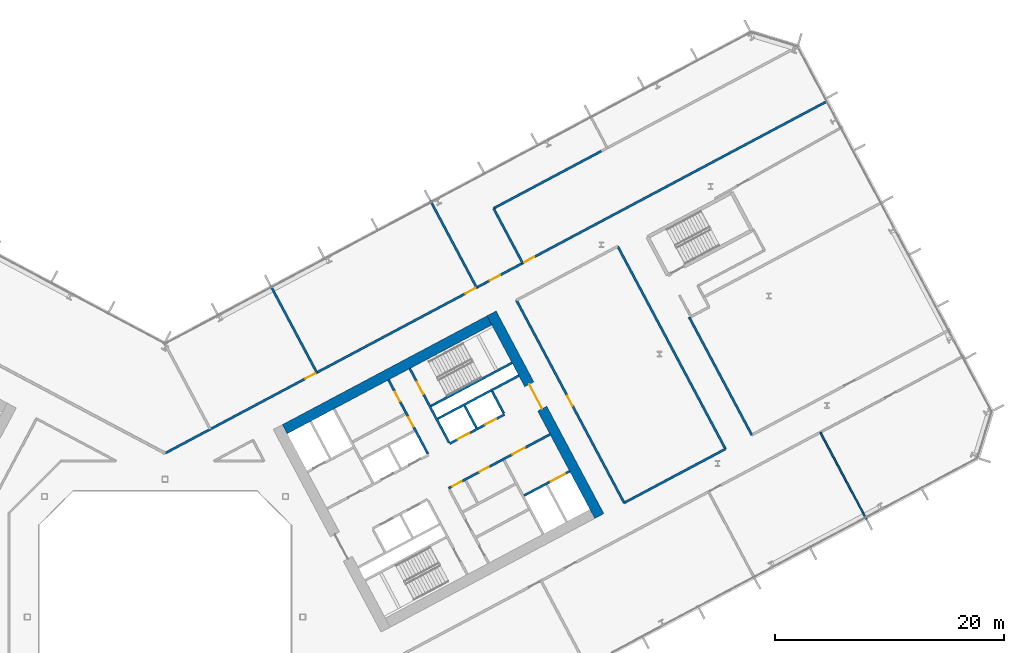
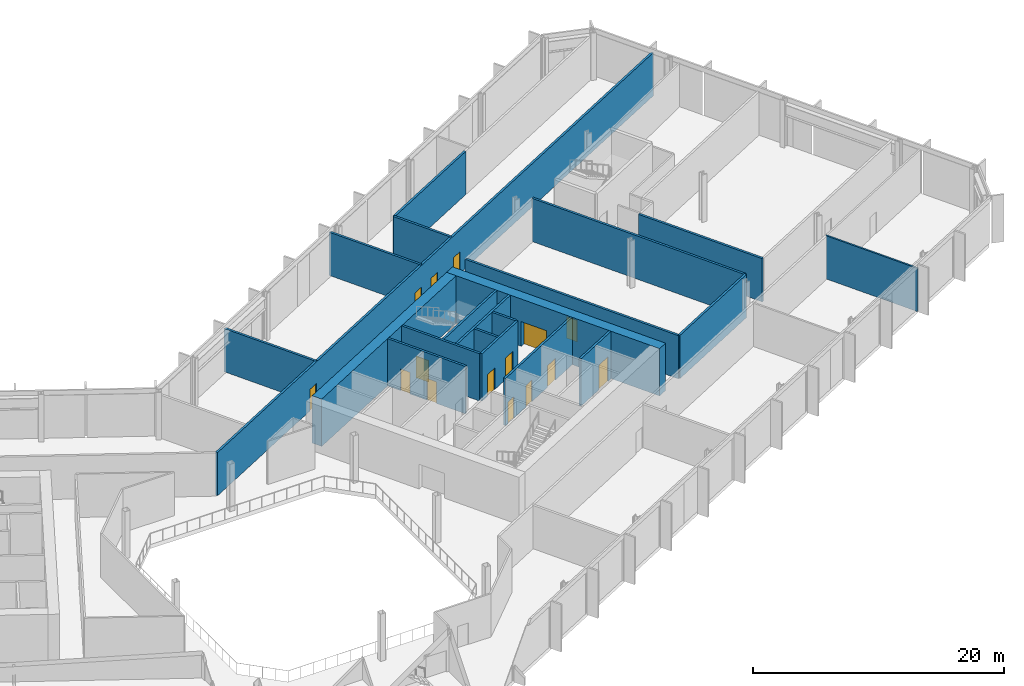
# One storey, part 18 of 31: 21 walls, 15 doors, 15 openings.
"""IFC4 building model written with IfcOpenShell, lengths in metres."""

from ifc_helpers import new_model, si_unit, direction, frame, frame_2d, origin, place, context, subcontext, project, spatial, rectangle, extrude, material, layer, layer_set, type_object, element, fill, save


model = new_model("IFC4")

# Units and contexts
model_context = context("Model", 3, precision=1e-05, world=origin(), true_north=direction((0.0, 1.0)))
body_context = subcontext(model_context, "Body", "Model", "MODEL_VIEW")
ifc_project = project(units=[si_unit("LENGTHUNIT", "METRE"), si_unit("AREAUNIT", "SQUARE_METRE"), si_unit("VOLUMEUNIT", "CUBIC_METRE"), si_unit("PLANEANGLEUNIT", "RADIAN"), si_unit("MASSUNIT", "GRAM", prefix="KILO")], contexts=[model_context])

# Site, building, storey
site_placement = place(None, origin())
site = spatial("IfcSite", under=ifc_project, at=site_placement, CompositionType="ELEMENT")
building_placement = place(site_placement, origin())
building = spatial("IfcBuilding", under=site, at=building_placement, Name="Cormorant Relay Tower", CompositionType="ELEMENT")
storey_placement = place(building_placement, frame((0.0, 0.0, 93.800048828125)))
storey = spatial("IfcBuildingStorey", under=building, at=storey_placement, Name="L18", CompositionType="ELEMENT", Elevation=93.800048828125)

# Wall
ifc_material_1 = material(Name="Concrete 40 MPa", Category="concrete")
ifc_layer_1 = layer(ifc_material_1, 0.199951171875)
ifc_layer_set_1 = layer_set([ifc_layer_1], Name="Core internal wall 200")
wall_type_1 = type_object("IfcWallType", Name="Core internal wall 200", PredefinedType="SOLIDWALL", material=ifc_layer_set_1)
wall_1_placement = place(storey_placement, frame((27.144287109375, 16.471435546875, 0.0), z_axis=(0.0, 0.0, 1.0), x_axis=(-0.469401318492, 0.882984938828, 0.0)))
element("IfcWall", 1, at=wall_1_placement, inside=storey, type_object=wall_type_1, Name="L18 core B shaft and room wall", PredefinedType="SOLIDWALL", context=body_context, shape_type="SweptSolid", body=[
    extrude(rectangle(XDim=2.199951171875, YDim=0.199951171875, at=frame_2d((1.10009765625, 0.0))), origin(), (0.0, 0.0, 1.0), 4.599853515625),
])

# Wall, openings, doors
ifc_material_2 = material(Name="Concrete 50 MPa", Category="concrete")
ifc_layer_2 = layer(ifc_material_2, 0.199951171875)
ifc_layer_set_2 = layer_set([ifc_layer_2], Name="Core shaft wall 200")
wall_type_2 = type_object("IfcWallType", Name="Core shaft wall 200", PredefinedType="SHEAR", material=ifc_layer_set_2)
wall_2_placement = place(storey_placement, frame((22.90625, 14.218017578125, 0.0), z_axis=(0.0, 0.0, 1.0), x_axis=(-0.469480409012, 0.88294288918, 0.0)))
wall_2 = element("IfcWall", 2, at=wall_2_placement, inside=storey, type_object=wall_type_2, Name="L18 core B shaft wall", PredefinedType="SHEAR", context=body_context, shape_type="SweptSolid", body=[
    extrude(rectangle(XDim=7.300048828125, YDim=0.199951171875, at=frame_2d((3.64990234375, 0.0))), origin(), (0.0, 0.0, 1.0), 4.599853515625),
])
opening_1_placement = place(wall_2_placement, frame((2.699951171875, 0.0, 0.0)))
opening_1 = element("IfcOpeningElement", 3, at=opening_1_placement, cuts=wall_2, Name="Opening CDD-141", PredefinedType="OPENING", context=body_context, shape_type="SweptSolid", body=[
    extrude(rectangle(XDim=0.89990234375, YDim=2.10009765625, at=frame_2d((0.449951171875, 1.050048828125))), frame((0.0, 0.10986328125, 0.0), z_axis=(0.0, -1.0, 0.0), x_axis=(1.0, 0.0, 0.0)), (0.0, 0.0, 1.0), 0.219970703125),
])
opening_2_placement = place(wall_2_placement, frame((5.199951171875, 0.0, 0.0)))
opening_2 = element("IfcOpeningElement", 4, at=opening_2_placement, cuts=wall_2, Name="Opening CDD-142", PredefinedType="OPENING", context=body_context, shape_type="SweptSolid", body=[
    extrude(rectangle(XDim=0.89990234375, YDim=2.10009765625, at=frame_2d((0.449951171875, 1.050048828125))), frame((0.0, 0.10986328125, 0.0), z_axis=(0.0, -1.0, 0.0), x_axis=(1.0, 0.0, 0.0)), (0.0, 0.0, 1.0), 0.219970703125),
])
ifc_material_3 = material(Name="Steel fire door", Category="steel")
door_type_1 = type_object("IfcDoorType", Name="Core room door 900x2100", OperationType="SINGLE_SWING_LEFT", PredefinedType="DOOR", material=ifc_material_3)
door_1_placement = place(opening_1_placement, origin())
door_1 = element("IfcDoor", 5, at=door_1_placement, inside=storey, type_object=door_type_1, Name="Core room door 900x2100", OperationType="SINGLE_SWING_RIGHT", OverallHeight=2.10009765625, OverallWidth=0.89990234375, PredefinedType="DOOR", context=body_context, shape_type="SweptSolid", body=[
    extrude(rectangle(XDim=0.89990234375, YDim=2.10009765625, at=frame_2d((0.449951171875, 1.050048828125))), frame((0.0, 0.02490234375, 0.0), z_axis=(0.0, -1.0, 0.0), x_axis=(1.0, 0.0, 0.0)), (0.0, 0.0, 1.0), 0.050048828125),
])
fill(opening_1, door_1)
door_2_placement = place(opening_2_placement, origin())
door_2 = element("IfcDoor", 6, at=door_2_placement, inside=storey, type_object=door_type_1, Name="Core room door 900x2100", OperationType="SINGLE_SWING_LEFT", OverallHeight=2.10009765625, OverallWidth=0.89990234375, PredefinedType="DOOR", context=body_context, shape_type="SweptSolid", body=[
    extrude(rectangle(XDim=0.89990234375, YDim=2.10009765625, at=frame_2d((0.449951171875, 1.050048828125))), frame((0.0, 0.02490234375, 0.0), z_axis=(0.0, -1.0, 0.0), x_axis=(1.0, 0.0, 0.0)), (0.0, 0.0, 1.0), 0.050048828125),
])
fill(opening_2, door_2)

# Wall, opening, door
wall_3_placement = place(storey_placement, frame((24.760498046875, 15.2041015625, 0.0), z_axis=(0.0, 0.0, 1.0), x_axis=(-0.469494272526, 0.882935517501, 0.0)))
wall_3 = element("IfcWall", 7, at=wall_3_placement, inside=storey, type_object=wall_type_2, Name="L18 core B shaft wall", PredefinedType="SHEAR", context=body_context, shape_type="SweptSolid", body=[
    extrude(rectangle(XDim=7.2998046875, YDim=0.199951171875, at=frame_2d((3.64990234375, 0.0))), origin(), (0.0, 0.0, 1.0), 4.599853515625),
])
opening_3_placement = place(wall_3_placement, frame((4.800048828125, 0.0, 0.0)))
opening_3 = element("IfcOpeningElement", 8, at=opening_3_placement, cuts=wall_3, Name="Opening CDB-027", PredefinedType="OPENING", context=body_context, shape_type="SweptSolid", body=[
    extrude(rectangle(XDim=1.199951171875, YDim=2.10009765625, at=frame_2d((0.60009765625, 1.050048828125))), frame((0.0, 0.10986328125, 0.0), z_axis=(0.0, -1.0, 0.0), x_axis=(1.0, 0.0, 0.0)), (0.0, 0.0, 1.0), 0.219970703125),
])
ifc_material_4 = material(Name="Steel fire door", Category="steel")
door_type_2 = type_object("IfcDoorType", Name="Core stair door 1200x2100", OperationType="SINGLE_SWING_LEFT", PredefinedType="DOOR", material=ifc_material_4)
door_3_placement = place(opening_3_placement, frame((1.199951171875, 0.0, 0.0), z_axis=(0.0, 0.0, 1.0), x_axis=(-1.0, 0.0, 0.0)))
door_3 = element("IfcDoor", 9, at=door_3_placement, inside=storey, type_object=door_type_2, Name="Core stair door 1200x2100", OperationType="SINGLE_SWING_RIGHT", OverallHeight=2.10009765625, OverallWidth=1.199951171875, PredefinedType="DOOR", context=body_context, shape_type="SweptSolid", body=[
    extrude(rectangle(XDim=1.199951171875, YDim=2.10009765625, at=frame_2d((0.60009765625, 1.050048828125))), frame((0.0, 0.02490234375, 0.0), z_axis=(0.0, -1.0, 0.0), x_axis=(1.0, 0.0, 0.0)), (0.0, 0.0, 1.0), 0.050048828125),
])
fill(opening_3, door_3)

# Wall
wall_4_placement = place(storey_placement, frame((29.5283203125, 17.739013671875, 0.0), z_axis=(0.0, 0.0, 1.0), x_axis=(-0.469401318492, 0.882984938828, 0.0)))
element("IfcWall", 10, at=wall_4_placement, inside=storey, type_object=wall_type_2, Name="L18 core B shaft wall", PredefinedType="SHEAR", context=body_context, shape_type="SweptSolid", body=[
    extrude(rectangle(XDim=2.199951171875, YDim=0.199951171875, at=frame_2d((1.10009765625, 0.0))), origin(), (0.0, 0.0, 1.0), 4.599853515625),
])

# Wall, opening, door
wall_5_placement = place(storey_placement, frame((31.295654296875, 10.5810546875, 0.0), z_axis=(0.0, 0.0, 1.0), x_axis=(0.882960433586, 0.469447412093, 0.0)))
wall_5 = element("IfcWall", 11, at=wall_5_placement, inside=storey, type_object=wall_type_2, Name="L18 core B shaft wall", PredefinedType="SHEAR", context=body_context, shape_type="SweptSolid", body=[
    extrude(rectangle(XDim=4.5, YDim=0.199951171875, at=frame_2d((2.25, 0.0))), origin(), (0.0, 0.0, 1.0), 4.599853515625),
])
opening_4_placement = place(wall_5_placement, frame((2.64990234375, 0.0, 0.0)))
opening_4 = element("IfcOpeningElement", 12, at=opening_4_placement, cuts=wall_5, Name="Opening LD3-010", PredefinedType="OPENING", context=body_context, shape_type="SweptSolid", body=[
    extrude(rectangle(XDim=1.39990234375, YDim=2.39990234375, at=frame_2d((0.699951171875, 1.199951171875))), frame((0.0, 0.10986328125, 0.0), z_axis=(0.0, -1.0, 0.0), x_axis=(1.0, 0.0, 0.0)), (0.0, 0.0, 1.0), 0.219970703125),
])
ifc_material_5 = material(Name="Stainless steel 316", Category="steel")
door_type_3 = type_object("IfcDoorType", Name="Lift landing door 1400x2400", OperationType="DOUBLE_DOOR_SLIDING", PredefinedType="DOOR", material=ifc_material_5)
door_4_placement = place(opening_4_placement, origin())
door_4 = element("IfcDoor", 13, at=door_4_placement, inside=storey, type_object=door_type_3, Name="SV2 landing door", OperationType="DOUBLE_DOOR_SLIDING", OverallHeight=2.39990234375, OverallWidth=1.39990234375, PredefinedType="DOOR", context=body_context, shape_type="SweptSolid", body=[
    extrude(rectangle(XDim=1.39990234375, YDim=2.39990234375, at=frame_2d((0.699951171875, 1.199951171875))), frame((0.0, 0.02490234375, 0.0), z_axis=(0.0, -1.0, 0.0), x_axis=(1.0, 0.0, 0.0)), (0.0, 0.0, 1.0), 0.050048828125),
])
fill(opening_4, door_4)

# Wall, openings, doors
wall_6_placement = place(storey_placement, frame((24.72607421875, 11.2216796875, 0.0), z_axis=(0.0, 0.0, 1.0), x_axis=(0.882940221191, 0.469485426614, 0.0)))
wall_6 = element("IfcWall", 14, at=wall_6_placement, inside=storey, type_object=wall_type_2, Name="L18 core B shaft wall", PredefinedType="SHEAR", context=body_context, shape_type="SweptSolid", body=[
    extrude(rectangle(XDim=10.0, YDim=0.199951171875, at=frame_2d((5.0, 0.0))), origin(), (0.0, 0.0, 1.0), 4.599853515625),
])
opening_5_placement = place(wall_6_placement, frame((6.300048828125, 0.0, 0.0)))
opening_5 = element("IfcOpeningElement", 15, at=opening_5_placement, cuts=wall_6, Name="Opening CDC-020", PredefinedType="OPENING", context=body_context, shape_type="SweptSolid", body=[
    extrude(rectangle(XDim=1.199951171875, YDim=2.10009765625, at=frame_2d((0.60009765625, 1.050048828125))), frame((0.0, 0.10986328125, 0.0), z_axis=(0.0, -1.0, 0.0), x_axis=(1.0, 0.0, 0.0)), (0.0, 0.0, 1.0), 0.219970703125),
])
opening_6_placement = place(wall_6_placement, frame((0.360107421875, 0.0, 0.0)))
opening_6 = element("IfcOpeningElement", 16, at=opening_6_placement, cuts=wall_6, Name="Opening CDD-119", PredefinedType="OPENING", context=body_context, shape_type="SweptSolid", body=[
    extrude(rectangle(XDim=0.89990234375, YDim=2.10009765625, at=frame_2d((0.449951171875, 1.050048828125))), frame((0.0, 0.10986328125, 0.0), z_axis=(0.0, -1.0, 0.0), x_axis=(1.0, 0.0, 0.0)), (0.0, 0.0, 1.0), 0.219970703125),
])
opening_7_placement = place(wall_6_placement, frame((3.06005859375, 0.0, 0.0)))
opening_7 = element("IfcOpeningElement", 17, at=opening_7_placement, cuts=wall_6, Name="Opening CDD-120", PredefinedType="OPENING", context=body_context, shape_type="SweptSolid", body=[
    extrude(rectangle(XDim=0.89990234375, YDim=2.10009765625, at=frame_2d((0.449951171875, 1.050048828125))), frame((0.0, 0.10986328125, 0.0), z_axis=(0.0, -1.0, 0.0), x_axis=(1.0, 0.0, 0.0)), (0.0, 0.0, 1.0), 0.219970703125),
])
ifc_material_6 = material(Name="Steel fire door", Category="steel")
door_type_4 = type_object("IfcDoorType", Name="Core lobby door 1200x2100", OperationType="SINGLE_SWING_LEFT", PredefinedType="DOOR", material=ifc_material_6)
door_5_placement = place(opening_5_placement, frame((1.199951171875, 0.0, 0.0), z_axis=(0.0, 0.0, 1.0), x_axis=(-1.0, 0.0, 0.0)))
door_5 = element("IfcDoor", 18, at=door_5_placement, inside=storey, type_object=door_type_4, Name="Core lobby door 1200x2100", OperationType="SINGLE_SWING_RIGHT", OverallHeight=2.10009765625, OverallWidth=1.199951171875, PredefinedType="DOOR", context=body_context, shape_type="SweptSolid", body=[
    extrude(rectangle(XDim=1.199951171875, YDim=2.10009765625, at=frame_2d((0.60009765625, 1.050048828125))), frame((0.0, 0.02490234375, 0.0), z_axis=(0.0, -1.0, 0.0), x_axis=(1.0, 0.0, 0.0)), (0.0, 0.0, 1.0), 0.050048828125),
])
fill(opening_5, door_5)
door_6_placement = place(opening_6_placement, frame((0.89990234375, 0.0, 0.0), z_axis=(0.0, 0.0, 1.0), x_axis=(-1.0, 0.0, 0.0)))
door_6 = element("IfcDoor", 19, at=door_6_placement, inside=storey, type_object=door_type_1, Name="Core room door 900x2100", OperationType="SINGLE_SWING_RIGHT", OverallHeight=2.10009765625, OverallWidth=0.89990234375, PredefinedType="DOOR", context=body_context, shape_type="SweptSolid", body=[
    extrude(rectangle(XDim=0.89990234375, YDim=2.10009765625, at=frame_2d((0.449951171875, 1.050048828125))), frame((0.0, 0.02490234375, 0.0), z_axis=(0.0, -1.0, 0.0), x_axis=(1.0, 0.0, 0.0)), (0.0, 0.0, 1.0), 0.050048828125),
])
fill(opening_6, door_6)
door_7_placement = place(opening_7_placement, frame((0.89990234375, 0.0, 0.0), z_axis=(0.0, 0.0, 1.0), x_axis=(-1.0, 0.0, 0.0)))
door_7 = element("IfcDoor", 20, at=door_7_placement, inside=storey, type_object=door_type_1, Name="Core room door 900x2100", OperationType="SINGLE_SWING_RIGHT", OverallHeight=2.10009765625, OverallWidth=0.89990234375, PredefinedType="DOOR", context=body_context, shape_type="SweptSolid", body=[
    extrude(rectangle(XDim=0.89990234375, YDim=2.10009765625, at=frame_2d((0.449951171875, 1.050048828125))), frame((0.0, 0.02490234375, 0.0), z_axis=(0.0, -1.0, 0.0), x_axis=(1.0, 0.0, 0.0)), (0.0, 0.0, 1.0), 0.050048828125),
])
fill(opening_7, door_7)

wall_7_placement = place(storey_placement, frame((24.807373046875, 15.11572265625, 0.0), z_axis=(0.0, 0.0, 1.0), x_axis=(0.882942972946, 0.469480251476, 0.0)))
wall_7 = element("IfcWall", 21, at=wall_7_placement, inside=storey, type_object=wall_type_2, Name="L18 core B shaft wall", PredefinedType="SHEAR", context=body_context, shape_type="SweptSolid", body=[
    extrude(rectangle(XDim=5.39990234375, YDim=0.199951171875, at=frame_2d((2.699951171875, 0.0))), origin(), (0.0, 0.0, 1.0), 4.599853515625),
])
opening_8_placement = place(wall_7_placement, frame((0.800048828125, 0.0, 0.0)))
opening_8 = element("IfcOpeningElement", 22, at=opening_8_placement, cuts=wall_7, Name="Opening LD1-030", PredefinedType="OPENING", context=body_context, shape_type="SweptSolid", body=[
    extrude(rectangle(XDim=1.10009765625, YDim=2.10009765625, at=frame_2d((0.550048828125, 1.050048828125))), frame((0.0, 0.10986328125, 0.0), z_axis=(0.0, -1.0, 0.0), x_axis=(1.0, 0.0, 0.0)), (0.0, 0.0, 1.0), 0.219970703125),
])
opening_9_placement = place(wall_7_placement, frame((3.5, 0.0, 0.0)))
opening_9 = element("IfcOpeningElement", 23, at=opening_9_placement, cuts=wall_7, Name="Opening LD1-031", PredefinedType="OPENING", context=body_context, shape_type="SweptSolid", body=[
    extrude(rectangle(XDim=1.10009765625, YDim=2.10009765625, at=frame_2d((0.550048828125, 1.050048828125))), frame((0.0, 0.10986328125, 0.0), z_axis=(0.0, -1.0, 0.0), x_axis=(1.0, 0.0, 0.0)), (0.0, 0.0, 1.0), 0.219970703125),
])
ifc_material_7 = material(Name="Stainless steel 316", Category="steel")
door_type_5 = type_object("IfcDoorType", Name="Lift landing door 1100x2100", OperationType="DOUBLE_DOOR_SLIDING", PredefinedType="DOOR", material=ifc_material_7)
door_8_placement = place(opening_8_placement, origin())
door_8 = element("IfcDoor", 24, at=door_8_placement, inside=storey, type_object=door_type_5, Name="LR3 landing door", OperationType="DOUBLE_DOOR_SLIDING", OverallHeight=2.10009765625, OverallWidth=1.10009765625, PredefinedType="DOOR", context=body_context, shape_type="SweptSolid", body=[
    extrude(rectangle(XDim=1.10009765625, YDim=2.10009765625, at=frame_2d((0.550048828125, 1.050048828125))), frame((0.0, 0.02490234375, 0.0), z_axis=(0.0, -1.0, 0.0), x_axis=(1.0, 0.0, 0.0)), (0.0, 0.0, 1.0), 0.050048828125),
])
fill(opening_8, door_8)
door_9_placement = place(opening_9_placement, origin())
door_9 = element("IfcDoor", 25, at=door_9_placement, inside=storey, type_object=door_type_5, Name="LR4 landing door", OperationType="DOUBLE_DOOR_SLIDING", OverallHeight=2.10009765625, OverallWidth=1.10009765625, PredefinedType="DOOR", context=body_context, shape_type="SweptSolid", body=[
    extrude(rectangle(XDim=1.10009765625, YDim=2.10009765625, at=frame_2d((0.550048828125, 1.050048828125))), frame((0.0, 0.02490234375, 0.0), z_axis=(0.0, -1.0, 0.0), x_axis=(1.0, 0.0, 0.0)), (0.0, 0.0, 1.0), 0.050048828125),
])
fill(opening_9, door_9)

# Walls
wall_8_placement = place(storey_placement, frame((23.76904296875, 17.28173828125, 0.0), z_axis=(0.0, 0.0, 1.0), x_axis=(0.882940221191, 0.469485426614, 0.0)))
element("IfcWall", 26, at=wall_8_placement, inside=storey, type_object=wall_type_2, Name="L18 core B shaft wall", PredefinedType="SHEAR", context=body_context, shape_type="SweptSolid", body=[
    extrude(rectangle(XDim=8.0, YDim=0.199951171875, at=frame_2d((4.0, 0.0))), origin(), (0.0, 0.0, 1.0), 4.599853515625),
])
wall_9_placement = place(storey_placement, frame((23.18212890625, 18.385498046875, 0.0), z_axis=(0.0, 0.0, 1.0), x_axis=(0.88295287151, 0.469461634952, 0.0)))
element("IfcWall", 27, at=wall_9_placement, inside=storey, type_object=wall_type_2, Name="L18 core B shaft wall", PredefinedType="SHEAR", context=body_context, shape_type="SweptSolid", body=[
    extrude(rectangle(XDim=7.999755859375, YDim=0.199951171875, at=frame_2d((4.0, 0.0))), origin(), (0.0, 0.0, 1.0), 4.599853515625),
])

# Wall, opening, door
ifc_material_8 = material(Name="Concrete 70 MPa", Category="concrete")
ifc_layer_3 = layer(ifc_material_8, 0.89990234375)
ifc_layer_set_3 = layer_set([ifc_layer_3], Name="Core wall 900")
wall_type_3 = type_object("IfcWallType", Name="Core wall 900", PredefinedType="SHEAR", material=ifc_layer_set_3)
wall_10_placement = place(storey_placement, frame((37.849365234375, 8.799072265625, 0.0), z_axis=(0.0, 0.0, 1.0), x_axis=(-0.469465789982, 0.882950662289, 0.0)))
wall_10 = element("IfcWall", 28, at=wall_10_placement, inside=storey, type_object=wall_type_3, Name="L18 core B wall", PredefinedType="SHEAR", context=body_context, shape_type="SweptSolid", body=[
    extrude(rectangle(XDim=20.000244140625, YDim=0.89990234375, at=frame_2d((10.0, 0.0))), origin(), (0.0, 0.0, 1.0), 4.599853515625),
])
opening_10_placement = place(wall_10_placement, frame((10.60009765625, 0.0, 0.0)))
opening_10 = element("IfcOpeningElement", 29, at=opening_10_placement, cuts=wall_10, Name="Opening CDA-020", PredefinedType="OPENING", context=body_context, shape_type="SweptSolid", body=[
    extrude(rectangle(XDim=2.39990234375, YDim=2.39990234375, at=frame_2d((1.199951171875, 1.199951171875))), frame((0.0, 0.4599609375, 0.0), z_axis=(0.0, -1.0, 0.0), x_axis=(1.0, 0.0, 0.0)), (0.0, 0.0, 1.0), 0.919921875),
])
ifc_material_9 = material(Name="Steel fire door", Category="steel")
door_type_6 = type_object("IfcDoorType", Name="Core lobby door 2400x2400", OperationType="DOUBLE_DOOR_SINGLE_SWING", PredefinedType="DOOR", material=ifc_material_9)
door_10_placement = place(opening_10_placement, origin())
door_10 = element("IfcDoor", 30, at=door_10_placement, inside=storey, type_object=door_type_6, Name="Core lobby door 2400x2400", OperationType="DOUBLE_DOOR_SINGLE_SWING", OverallHeight=2.39990234375, OverallWidth=2.39990234375, PredefinedType="DOOR", context=body_context, shape_type="SweptSolid", body=[
    extrude(rectangle(XDim=2.39990234375, YDim=2.39990234375, at=frame_2d((1.199951171875, 1.199951171875))), frame((0.0, 0.02490234375, 0.0), z_axis=(0.0, -1.0, 0.0), x_axis=(1.0, 0.0, 0.0)), (0.0, 0.0, 1.0), 0.050048828125),
])
fill(opening_10, door_10)

# Wall
wall_11_placement = place(storey_placement, frame((10.4384765625, 16.3662109375, 0.0), z_axis=(0.0, 0.0, 1.0), x_axis=(0.88294509198, 0.469476266226, 0.0)))
element("IfcWall", 31, at=wall_11_placement, inside=storey, type_object=wall_type_3, Name="L18 core B wall", PredefinedType="SHEAR", context=body_context, shape_type="SweptSolid", body=[
    extrude(rectangle(XDim=20.199951171875, YDim=0.89990234375, at=frame_2d((10.10009765625, 0.0))), origin(), (0.0, 0.0, 1.0), 4.599853515625),
])

# Wall, openings, doors
ifc_material_10 = material(Name="Fire-rated gypsum board partition")
ifc_layer_4 = layer(ifc_material_10, 0.199951171875)
ifc_layer_set_4 = layer_set([ifc_layer_4], Name="Fire-rated gypsum partition 200")
wall_type_4 = type_object("IfcWallType", Name="Fire-rated gypsum partition 200", PredefinedType="PARTITIONING", material=ifc_layer_set_4)
wall_12_placement = place(storey_placement, frame((0.0, 14.27001953125, 0.0), z_axis=(0.0, 0.0, 1.0), x_axis=(0.882946949892, 0.46947277203, 0.0)))
wall_12 = element("IfcWall", 32, at=wall_12_placement, inside=storey, type_object=wall_type_4, Name="wall/L18/part/15", PredefinedType="PARTITIONING", context=body_context, shape_type="SweptSolid", body=[
    extrude(rectangle(XDim=65.5009765625, YDim=0.199951171875, at=frame_2d((32.75048828125, 0.0))), origin(), (0.0, 0.0, 1.0), 4.199951171875),
])
opening_11_placement = place(wall_12_placement, frame((35.449951171875, 0.0, 0.0)))
opening_11 = element("IfcOpeningElement", 33, at=opening_11_placement, cuts=wall_12, Name="Opening FD1-110", PredefinedType="OPENING", context=body_context, shape_type="SweptSolid", body=[
    extrude(rectangle(XDim=1.0, YDim=2.10009765625, at=frame_2d((0.5, 1.050048828125))), frame((0.0, 0.10986328125, 0.0), z_axis=(0.0, -1.0, 0.0), x_axis=(1.0, 0.0, 0.0)), (0.0, 0.0, 1.0), 0.219970703125),
])
opening_12_placement = place(wall_12_placement, frame((32.050048828125, 0.0, 0.0)))
opening_12 = element("IfcOpeningElement", 34, at=opening_12_placement, cuts=wall_12, Name="Opening FD1-111", PredefinedType="OPENING", context=body_context, shape_type="SweptSolid", body=[
    extrude(rectangle(XDim=1.0, YDim=2.10009765625, at=frame_2d((0.5, 1.050048828125))), frame((0.0, 0.10986328125, 0.0), z_axis=(0.0, -1.0, 0.0), x_axis=(1.0, 0.0, 0.0)), (0.0, 0.0, 1.0), 0.219970703125),
])
opening_13_placement = place(wall_12_placement, frame((29.64990234375, 0.0, 0.0)))
opening_13 = element("IfcOpeningElement", 35, at=opening_13_placement, cuts=wall_12, Name="Opening FD1-112", PredefinedType="OPENING", context=body_context, shape_type="SweptSolid", body=[
    extrude(rectangle(XDim=1.0, YDim=2.10009765625, at=frame_2d((0.5, 1.050048828125))), frame((0.0, 0.10986328125, 0.0), z_axis=(0.0, -1.0, 0.0), x_axis=(1.0, 0.0, 0.0)), (0.0, 0.0, 1.0), 0.219970703125),
])
opening_14_placement = place(wall_12_placement, frame((13.85009765625, 0.0, 0.0)))
opening_14 = element("IfcOpeningElement", 36, at=opening_14_placement, cuts=wall_12, Name="Opening FD1-113", PredefinedType="OPENING", context=body_context, shape_type="SweptSolid", body=[
    extrude(rectangle(XDim=1.0, YDim=2.10009765625, at=frame_2d((0.5, 1.050048828125))), frame((0.0, 0.10986328125, 0.0), z_axis=(0.0, -1.0, 0.0), x_axis=(1.0, 0.0, 0.0)), (0.0, 0.0, 1.0), 0.219970703125),
])
ifc_material_11 = material(Name="Fire-rated steel door", Category="steel")
door_type_7 = type_object("IfcDoorType", Name="Fire door 1000 x 2100", OperationType="SINGLE_SWING_LEFT", PredefinedType="DOOR", material=ifc_material_11)
door_11_placement = place(opening_11_placement, origin())
door_11 = element("IfcDoor", 37, at=door_11_placement, inside=storey, type_object=door_type_7, Name="door/L18/5", OperationType="SINGLE_SWING_LEFT", OverallHeight=2.10009765625, OverallWidth=1.0, PredefinedType="DOOR", context=body_context, shape_type="SweptSolid", body=[
    extrude(rectangle(XDim=1.0, YDim=2.10009765625, at=frame_2d((0.5, 1.050048828125))), frame((0.0, 0.02490234375, 0.0), z_axis=(0.0, -1.0, 0.0), x_axis=(1.0, 0.0, 0.0)), (0.0, 0.0, 1.0), 0.050048828125),
])
fill(opening_11, door_11)
door_12_placement = place(opening_12_placement, origin())
door_12 = element("IfcDoor", 38, at=door_12_placement, inside=storey, type_object=door_type_7, Name="door/L18/6", OperationType="SINGLE_SWING_LEFT", OverallHeight=2.10009765625, OverallWidth=1.0, PredefinedType="DOOR", context=body_context, shape_type="SweptSolid", body=[
    extrude(rectangle(XDim=1.0, YDim=2.10009765625, at=frame_2d((0.5, 1.050048828125))), frame((0.0, 0.02490234375, 0.0), z_axis=(0.0, -1.0, 0.0), x_axis=(1.0, 0.0, 0.0)), (0.0, 0.0, 1.0), 0.050048828125),
])
fill(opening_12, door_12)
door_13_placement = place(opening_13_placement, origin())
door_13 = element("IfcDoor", 39, at=door_13_placement, inside=storey, type_object=door_type_7, Name="door/L18/7", OperationType="SINGLE_SWING_RIGHT", OverallHeight=2.10009765625, OverallWidth=1.0, PredefinedType="DOOR", context=body_context, shape_type="SweptSolid", body=[
    extrude(rectangle(XDim=1.0, YDim=2.10009765625, at=frame_2d((0.5, 1.050048828125))), frame((0.0, 0.02490234375, 0.0), z_axis=(0.0, -1.0, 0.0), x_axis=(1.0, 0.0, 0.0)), (0.0, 0.0, 1.0), 0.050048828125),
])
fill(opening_13, door_13)
door_14_placement = place(opening_14_placement, origin())
door_14 = element("IfcDoor", 40, at=door_14_placement, inside=storey, type_object=door_type_7, Name="door/L18/8", OperationType="SINGLE_SWING_RIGHT", OverallHeight=2.10009765625, OverallWidth=1.0, PredefinedType="DOOR", context=body_context, shape_type="SweptSolid", body=[
    extrude(rectangle(XDim=1.0, YDim=2.10009765625, at=frame_2d((0.5, 1.050048828125))), frame((0.0, 0.02490234375, 0.0), z_axis=(0.0, -1.0, 0.0), x_axis=(1.0, 0.0, 0.0)), (0.0, 0.0, 1.0), 0.050048828125),
])
fill(opening_14, door_14)

# Walls
wall_13_placement = place(storey_placement, frame((9.19091796875, 28.89794921875, 0.0), z_axis=(0.0, 0.0, 1.0), x_axis=(0.469409112223, -0.882980795579, 0.0)))
element("IfcWall", 41, at=wall_13_placement, inside=storey, type_object=wall_type_4, Name="wall/L18/part/26", PredefinedType="PARTITIONING", context=body_context, shape_type="SweptSolid", body=[
    extrude(rectangle(XDim=8.600341796875, YDim=0.199951171875, at=frame_2d((4.30029296875, 0.0))), origin(), (0.0, 0.0, 1.0), 4.199951171875),
])
wall_14_placement = place(storey_placement, frame((23.116943359375, 36.302001953125, 0.0), z_axis=(0.0, 0.0, 1.0), x_axis=(0.469544705103, -0.882908698513, 0.0)))
element("IfcWall", 42, at=wall_14_placement, inside=storey, type_object=wall_type_4, Name="wall/L18/part/32", PredefinedType="PARTITIONING", context=body_context, shape_type="SweptSolid", body=[
    extrude(rectangle(XDim=8.60009765625, YDim=0.199951171875, at=frame_2d((4.300048828125, 0.0))), origin(), (0.0, 0.0, 1.0), 4.199951171875),
])
wall_15_placement = place(storey_placement, frame((31.159912109375, 30.85791015625, 0.0), z_axis=(0.0, 0.0, 1.0), x_axis=(-0.469406117912, 0.882982387404, 0.0)))
element("IfcWall", 43, at=wall_15_placement, inside=storey, type_object=wall_type_4, Name="wall/L18/part/35", PredefinedType="PARTITIONING", context=body_context, shape_type="SweptSolid", body=[
    extrude(rectangle(XDim=5.383056640625, YDim=0.199951171875, at=frame_2d((2.69140625, 0.0))), origin(), (0.0, 0.0, 1.0), 4.199951171875),
])
wall_16_placement = place(storey_placement, frame((28.633056640625, 35.611083984375, 0.0), z_axis=(0.0, 0.0, 1.0), x_axis=(0.882930875779, 0.469503001691, 0.0)))
element("IfcWall", 44, at=wall_16_placement, inside=storey, type_object=wall_type_4, Name="wall/L18/part/36", PredefinedType="PARTITIONING", context=body_context, shape_type="SweptSolid", body=[
    extrude(rectangle(XDim=10.640625, YDim=0.199951171875, at=frame_2d((5.3203125, 0.0))), origin(), (0.0, 0.0, 1.0), 4.199951171875),
])
wall_17_placement = place(storey_placement, frame((45.678955078125, 26.1318359375, 0.0), z_axis=(0.0, 0.0, 1.0), x_axis=(0.469471943685, -0.882947390331, 0.0)))
element("IfcWall", 45, at=wall_17_placement, inside=storey, type_object=wall_type_4, Name="wall/L18/part/43", PredefinedType="PARTITIONING", context=body_context, shape_type="SweptSolid", body=[
    extrude(rectangle(XDim=11.6279296875, YDim=0.199951171875, at=frame_2d((5.81396484375, 0.0))), origin(), (0.0, 0.0, 1.0), 4.199951171875),
])
wall_18_placement = place(storey_placement, frame((39.452880859375, 32.302978515625, 0.0), z_axis=(0.0, 0.0, 1.0), x_axis=(0.469461333319, -0.882953031887, 0.0)))
element("IfcWall", 46, at=wall_18_placement, inside=storey, type_object=wall_type_4, Name="wall/L18/part/66", PredefinedType="PARTITIONING", context=body_context, shape_type="SweptSolid", body=[
    extrude(rectangle(XDim=19.999755859375, YDim=0.199951171875, at=frame_2d((10.0, 0.0))), origin(), (0.0, 0.0, 1.0), 4.199951171875),
])
wall_19_placement = place(storey_placement, frame((48.842041015625, 14.64404296875, 0.0), z_axis=(0.0, 0.0, 1.0), x_axis=(-0.882924718888, -0.46951457994, 0.0)))
element("IfcWall", 47, at=wall_19_placement, inside=storey, type_object=wall_type_4, Name="wall/L18/part/67", PredefinedType="PARTITIONING", context=body_context, shape_type="SweptSolid", body=[
    extrude(rectangle(XDim=9.999755859375, YDim=0.199951171875, at=frame_2d((5.0, 0.0))), origin(), (0.0, 0.0, 1.0), 4.199951171875),
])

# Wall, opening, door
wall_20_placement = place(storey_placement, frame((40.012939453125, 9.948974609375, 0.0), z_axis=(0.0, 0.0, 1.0), x_axis=(-0.469489882812, 0.882937851685, 0.0)))
wall_20 = element("IfcWall", 48, at=wall_20_placement, inside=storey, type_object=wall_type_4, Name="wall/L18/part/68", PredefinedType="PARTITIONING", context=body_context, shape_type="SweptSolid", body=[
    extrude(rectangle(XDim=20.000244140625, YDim=0.199951171875, at=frame_2d((10.0, 0.0))), origin(), (0.0, 0.0, 1.0), 4.199951171875),
])
opening_15_placement = place(wall_20_placement, frame((9.550048828125, 0.0, 0.0)))
opening_15 = element("IfcOpeningElement", 49, at=opening_15_placement, cuts=wall_20, Name="Opening FD1-108", PredefinedType="OPENING", context=body_context, shape_type="SweptSolid", body=[
    extrude(rectangle(XDim=1.0, YDim=2.10009765625, at=frame_2d((0.5, 1.050048828125))), frame((0.0, 0.10986328125, 0.0), z_axis=(0.0, -1.0, 0.0), x_axis=(1.0, 0.0, 0.0)), (0.0, 0.0, 1.0), 0.219970703125),
])
door_15_placement = place(opening_15_placement, origin())
door_15 = element("IfcDoor", 50, at=door_15_placement, inside=storey, type_object=door_type_7, Name="door/L18/21", OperationType="SINGLE_SWING_RIGHT", OverallHeight=2.10009765625, OverallWidth=1.0, PredefinedType="DOOR", context=body_context, shape_type="SweptSolid", body=[
    extrude(rectangle(XDim=1.0, YDim=2.10009765625, at=frame_2d((0.5, 1.050048828125))), frame((0.0, 0.02490234375, 0.0), z_axis=(0.0, -1.0, 0.0), x_axis=(1.0, 0.0, 0.0)), (0.0, 0.0, 1.0), 0.050048828125),
])
fill(opening_15, door_15)

# Wall
ifc_material_12 = material(Name="Gypsum board partition")
ifc_layer_5 = layer(ifc_material_12, 0.14990234375)
ifc_layer_set_5 = layer_set([ifc_layer_5], Name="Gypsum board partition 150")
wall_type_5 = type_object("IfcWallType", Name="Gypsum board partition 150", PredefinedType="PARTITIONING", material=ifc_layer_set_5)
wall_21_placement = place(storey_placement, frame((57.10498046875, 16.093017578125, 0.0), z_axis=(0.0, 0.0, 1.0), x_axis=(0.469409112223, -0.882980795579, 0.0)))
element("IfcWall", 51, at=wall_21_placement, inside=storey, type_object=wall_type_5, Name="wall/L18/part/51", PredefinedType="PARTITIONING", context=body_context, shape_type="SweptSolid", body=[
    extrude(rectangle(XDim=8.600341796875, YDim=0.14990234375, at=frame_2d((4.30029296875, 0.0))), origin(), (0.0, 0.0, 1.0), 4.199951171875),
])

save(model, "model.ifc")
